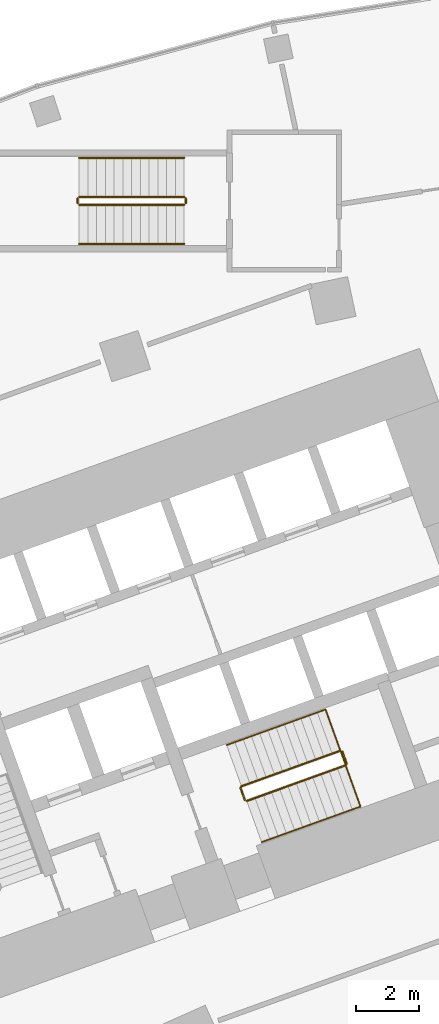
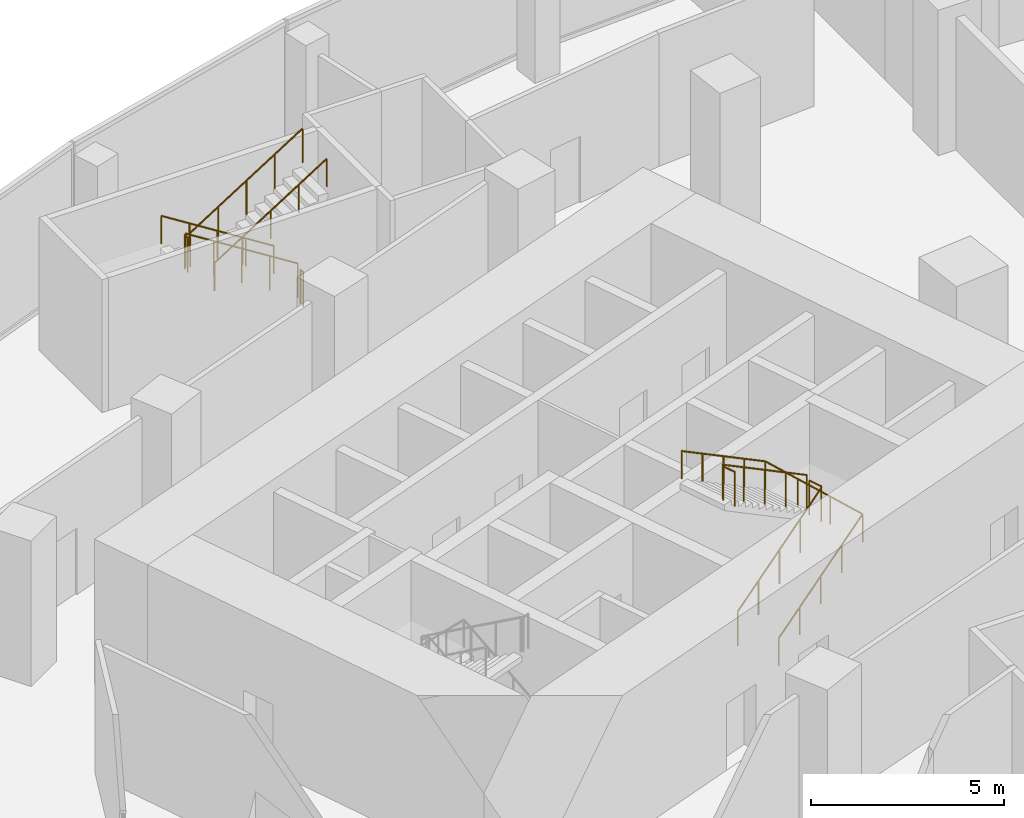
# One storey, part 34 of 39: 9 railings.
"""IFC4 building model written with IfcOpenShell, lengths in metres."""

from ifc_helpers import new_model, si_unit, direction, frame, origin, origin_2d, place, context, subcontext, project, spatial, circle, extrude, material, type_object, element, save


model = new_model("IFC4")

# Units and contexts
model_context = context("Model", 3, precision=1e-05, world=origin(), true_north=direction((0.0, 1.0)))
body_context = subcontext(model_context, "Body", "Model", "MODEL_VIEW")
ifc_project = project(units=[si_unit("LENGTHUNIT", "METRE"), si_unit("AREAUNIT", "SQUARE_METRE"), si_unit("VOLUMEUNIT", "CUBIC_METRE"), si_unit("PLANEANGLEUNIT", "RADIAN"), si_unit("MASSUNIT", "GRAM", prefix="KILO")], contexts=[model_context])

# Site, building, storey
site_placement = place(None, origin())
site = spatial("IfcSite", under=ifc_project, at=site_placement, CompositionType="ELEMENT")
building_placement = place(site_placement, origin())
building = spatial("IfcBuilding", under=site, at=building_placement, Name="Stone Belt Terrace Tower", CompositionType="ELEMENT")
storey_placement = place(building_placement, frame((0.0, 0.0, 20.800048828125)))
storey = spatial("IfcBuildingStorey", under=building, at=storey_placement, Name="L04", CompositionType="ELEMENT", Elevation=20.800048828125)

# Railings
ifc_material_1 = material(Name="Steel balustrade", Category="steel")
railing_type_1 = type_object("IfcRailingType", Name="Podium stair guard", PredefinedType="GUARDRAIL", material=ifc_material_1)
railing_1_placement = place(storey_placement, frame((-18.340087890625, 67.375, 0.1767578125)))
element("IfcRailing", 1, at=railing_1_placement, inside=storey, type_object=railing_type_1, Name="L04 PS7 stair guard 1", PredefinedType="GUARDRAIL", context=body_context, shape_type="SweptSolid", body=[
    extrude(circle(Radius=0.02392578125, at=origin_2d()), frame((0.0, 0.0, 1.076171875), z_axis=(-0.845344368971, 0.0, 0.534221768416), x_axis=(0.0, -1.0, 0.0)), (0.0, 0.0, 1.0), 3.974609375),
    extrude(circle(Radius=0.02099609375, at=origin_2d()), origin(), (0.0, 0.0, 1.0), 1.052001953125),
    extrude(circle(Radius=0.02099609375, at=origin_2d()), frame((-0.83984375, 0.0, 0.53076171875)), (0.0, 0.0, 1.0), 1.052001953125),
    extrude(circle(Radius=0.02099609375, at=origin_2d()), frame((-1.679931640625, 0.0, 1.0615234375)), (0.0, 0.0, 1.0), 1.052001953125),
    extrude(circle(Radius=0.02099609375, at=origin_2d()), frame((-2.52001953125, 0.0, 1.592529296875)), (0.0, 0.0, 1.0), 1.052001953125),
    extrude(circle(Radius=0.02099609375, at=origin_2d()), frame((-3.35986328125, 0.0, 2.123291015625)), (0.0, 0.0, 1.0), 1.052001953125),
])
railing_2_placement = place(storey_placement, frame((-21.75, 67.324951171875, 2.300048828125)))
element("IfcRailing", 2, at=railing_2_placement, inside=storey, type_object=railing_type_1, Name="L04 PS7 stair guard 2", PredefinedType="GUARDRAIL", context=body_context, shape_type="SweptSolid", body=[
    extrude(circle(Radius=0.02392578125, at=origin_2d()), frame((0.0, 0.0, 1.076171875), z_axis=(0.0, -1.0, 0.0), x_axis=(1.0, 0.0, 0.0)), (0.0, 0.0, 1.0), 0.14990234375),
    extrude(circle(Radius=0.02099609375, at=origin_2d()), origin(), (0.0, 0.0, 1.0), 1.052001953125),
    extrude(circle(Radius=0.02099609375, at=origin_2d()), frame((0.0, -0.14990234375, 0.0)), (0.0, 0.0, 1.0), 1.052001953125),
])
railing_3_placement = place(storey_placement, frame((-21.699951171875, 67.125, 2.476806640625)))
element("IfcRailing", 3, at=railing_3_placement, inside=storey, type_object=railing_type_1, Name="L04 PS7 stair guard 3", PredefinedType="GUARDRAIL", context=body_context, shape_type="SweptSolid", body=[
    extrude(circle(Radius=0.02392578125, at=origin_2d()), frame((0.0, 0.0, 1.076171875), z_axis=(0.845372108799, 0.0, 0.534177870812), x_axis=(0.0, 1.0, 0.0)), (0.0, 0.0, 1.0), 3.974365234375),
    extrude(circle(Radius=0.02099609375, at=origin_2d()), origin(), (0.0, 0.0, 1.0), 1.052001953125),
    extrude(circle(Radius=0.02099609375, at=origin_2d()), frame((0.83984375, 0.0, 0.53076171875)), (0.0, 0.0, 1.0), 1.052001953125),
    extrude(circle(Radius=0.02099609375, at=origin_2d()), frame((1.679931640625, 0.0, 1.0615234375)), (0.0, 0.0, 1.0), 1.052001953125),
    extrude(circle(Radius=0.02099609375, at=origin_2d()), frame((2.52001953125, 0.0, 1.59228515625)), (0.0, 0.0, 1.0), 1.052001953125),
    extrude(circle(Radius=0.02099609375, at=origin_2d()), frame((3.35986328125, 0.0, 2.123046875)), (0.0, 0.0, 1.0), 1.052001953125),
])
railing_4_placement = place(storey_placement, frame((-18.2900390625, 67.324951171875, 0.0)))
element("IfcRailing", 4, at=railing_4_placement, inside=storey, type_object=railing_type_1, Name="L04 PS7 stair guard 4", PredefinedType="GUARDRAIL", context=body_context, shape_type="SweptSolid", body=[
    extrude(circle(Radius=0.02392578125, at=origin_2d()), frame((0.0, 0.0, 1.076171875), z_axis=(0.0, -1.0, 0.0), x_axis=(1.0, 0.0, 0.0)), (0.0, 0.0, 1.0), 0.14990234375),
    extrude(circle(Radius=0.02099609375, at=origin_2d()), origin(), (0.0, 0.0, 1.0), 1.052001953125),
    extrude(circle(Radius=0.02099609375, at=origin_2d()), frame((0.0, -0.14990234375, 0.0)), (0.0, 0.0, 1.0), 1.052001953125),
])
ifc_material_2 = material(Name="Stainless steel handrail", Category="steel")
railing_type_2 = type_object("IfcRailingType", Name="Podium stair handrail", PredefinedType="HANDRAIL", material=ifc_material_2)
railing_5_placement = place(storey_placement, frame((-18.340087890625, 68.625, 0.1767578125)))
element("IfcRailing", 5, at=railing_5_placement, inside=storey, type_object=railing_type_2, Name="L04 PS7 stair handrail 1", PredefinedType="HANDRAIL", context=body_context, shape_type="SweptSolid", body=[
    extrude(circle(Radius=0.02392578125, at=origin_2d()), frame((0.0, 0.0, 0.8759765625), z_axis=(-0.845344368971, 0.0, 0.534221768416), x_axis=(0.0, -1.0, 0.0)), (0.0, 0.0, 1.0), 3.974609375),
    extrude(circle(Radius=0.02099609375, at=origin_2d()), origin(), (0.0, 0.0, 1.0), 0.851806640625),
    extrude(circle(Radius=0.02099609375, at=origin_2d()), frame((-0.83984375, 0.0, 0.53076171875)), (0.0, 0.0, 1.0), 0.851806640625),
    extrude(circle(Radius=0.02099609375, at=origin_2d()), frame((-1.679931640625, 0.0, 1.0615234375)), (0.0, 0.0, 1.0), 0.851806640625),
    extrude(circle(Radius=0.02099609375, at=origin_2d()), frame((-2.52001953125, 0.0, 1.592529296875)), (0.0, 0.0, 1.0), 0.851806640625),
    extrude(circle(Radius=0.02099609375, at=origin_2d()), frame((-3.35986328125, 0.0, 2.123291015625)), (0.0, 0.0, 1.0), 0.851806640625),
])
railing_6_placement = place(storey_placement, frame((-21.699951171875, 65.875, 2.476806640625)))
element("IfcRailing", 6, at=railing_6_placement, inside=storey, type_object=railing_type_2, Name="L04 PS7 stair handrail 2", PredefinedType="HANDRAIL", context=body_context, shape_type="SweptSolid", body=[
    extrude(circle(Radius=0.02392578125, at=origin_2d()), frame((0.0, 0.0, 0.8759765625), z_axis=(0.845372108799, 0.0, 0.534177870812), x_axis=(0.0, 1.0, 0.0)), (0.0, 0.0, 1.0), 3.974365234375),
    extrude(circle(Radius=0.02099609375, at=origin_2d()), origin(), (0.0, 0.0, 1.0), 0.851806640625),
    extrude(circle(Radius=0.02099609375, at=origin_2d()), frame((0.83984375, 0.0, 0.53076171875)), (0.0, 0.0, 1.0), 0.851806640625),
    extrude(circle(Radius=0.02099609375, at=origin_2d()), frame((1.679931640625, 0.0, 1.0615234375)), (0.0, 0.0, 1.0), 0.851806640625),
    extrude(circle(Radius=0.02099609375, at=origin_2d()), frame((2.52001953125, 0.0, 1.59228515625)), (0.0, 0.0, 1.0), 0.851806640625),
    extrude(circle(Radius=0.02099609375, at=origin_2d()), frame((3.35986328125, 0.0, 2.123046875)), (0.0, 0.0, 1.0), 0.851806640625),
])
ifc_material_3 = material(Name="Structural steel C345", Category="steel")
railing_type_3 = type_object("IfcRailingType", Name="Stair guard 1100", PredefinedType="GUARDRAIL", material=ifc_material_3)
railing_7_placement = place(storey_placement, frame((-16.33837890625, 48.056640625, 0.1767578125)))
element("IfcRailing", 7, at=railing_7_placement, inside=storey, type_object=railing_type_3, Name="L04 ST2A stair guard 1", PredefinedType="GUARDRAIL", context=body_context, shape_type="SweptSolid", body=[
    extrude(circle(Radius=0.02392578125, at=origin_2d()), frame((0.0, 0.0, 1.076171875), z_axis=(0.795428272047, 0.286231331872, 0.53419611444), x_axis=(-0.338590819614, 0.940933715451, 0.0)), (0.0, 0.0, 1.0), 3.974853515625),
    extrude(circle(Radius=0.02392578125, at=origin_2d()), frame((3.16162109375, 1.1376953125, 3.19921875), z_axis=(0.424964916, 0.905209821074, 0.0), x_axis=(-0.905209821074, 0.424964916, 0.0)), (0.0, 0.0, 1.0), 0.070556640625),
    extrude(circle(Radius=0.02392578125, at=origin_2d()), frame((3.191650390625, 1.20166015625, 3.19921875), z_axis=(-0.338654645739, 0.940910745459, 0.0), x_axis=(-0.940910745459, -0.338654645739, 0.0)), (0.0, 0.0, 1.0), 0.400146484375),
    extrude(circle(Radius=0.02099609375, at=origin_2d()), origin(), (0.0, 0.0, 1.0), 1.052001953125),
    extrude(circle(Radius=0.02099609375, at=origin_2d()), frame((0.79052734375, 0.284423828125, 0.53076171875)), (0.0, 0.0, 1.0), 1.052001953125),
    extrude(circle(Radius=0.02099609375, at=origin_2d()), frame((1.580810546875, 0.56884765625, 1.0615234375)), (0.0, 0.0, 1.0), 1.052001953125),
    extrude(circle(Radius=0.02099609375, at=origin_2d()), frame((2.37109375, 0.853271484375, 1.592529296875)), (0.0, 0.0, 1.0), 1.052001953125),
    extrude(circle(Radius=0.02099609375, at=origin_2d()), frame((3.16162109375, 1.1376953125, 2.123291015625)), (0.0, 0.0, 1.0), 1.052001953125),
    extrude(circle(Radius=0.02099609375, at=origin_2d()), frame((3.191650390625, 1.20166015625, 2.123291015625)), (0.0, 0.0, 1.0), 1.052001953125),
    extrude(circle(Radius=0.02099609375, at=origin_2d()), frame((3.05615234375, 1.578125, 2.123291015625)), (0.0, 0.0, 1.0), 1.052001953125),
])
railing_8_placement = place(storey_placement, frame((-13.34619140625, 49.664794921875, 2.476806640625)))
element("IfcRailing", 8, at=railing_8_placement, inside=storey, type_object=railing_type_3, Name="L04 ST2A stair guard 2", PredefinedType="GUARDRAIL", context=body_context, shape_type="SweptSolid", body=[
    extrude(circle(Radius=0.02392578125, at=origin_2d()), frame((0.0, 0.0, 1.076171875), z_axis=(-0.795431811234, -0.286254710043, 0.534178317283), x_axis=(0.338613969627, -0.9409253847, 0.0)), (0.0, 0.0, 1.0), 3.974365234375),
    extrude(circle(Radius=0.02392578125, at=origin_2d()), frame((-3.161376953125, -1.1376953125, 3.19921875), z_axis=(-0.427789722475, -0.903878284585, 0.0), x_axis=(0.903878284585, -0.427789722475, 0.0)), (0.0, 0.0, 1.0), 0.07080078125),
    extrude(circle(Radius=0.02392578125, at=origin_2d()), frame((-3.191650390625, -1.20166015625, 3.19921875), z_axis=(0.338654645739, -0.940910745459, 0.0), x_axis=(0.940910745459, 0.338654645739, 0.0)), (0.0, 0.0, 1.0), 0.400146484375),
    extrude(circle(Radius=0.02099609375, at=origin_2d()), origin(), (0.0, 0.0, 1.0), 1.052001953125),
    extrude(circle(Radius=0.02099609375, at=origin_2d()), frame((-0.790283203125, -0.284423828125, 0.53076171875)), (0.0, 0.0, 1.0), 1.052001953125),
    extrude(circle(Radius=0.02099609375, at=origin_2d()), frame((-1.58056640625, -0.56884765625, 1.0615234375)), (0.0, 0.0, 1.0), 1.052001953125),
    extrude(circle(Radius=0.02099609375, at=origin_2d()), frame((-2.37109375, -0.853271484375, 1.59228515625)), (0.0, 0.0, 1.0), 1.052001953125),
    extrude(circle(Radius=0.02099609375, at=origin_2d()), frame((-3.161376953125, -1.1376953125, 2.123046875)), (0.0, 0.0, 1.0), 1.052001953125),
    extrude(circle(Radius=0.02099609375, at=origin_2d()), frame((-3.191650390625, -1.20166015625, 2.123046875)), (0.0, 0.0, 1.0), 1.052001953125),
    extrude(circle(Radius=0.02099609375, at=origin_2d()), frame((-3.05615234375, -1.578125, 2.123046875)), (0.0, 0.0, 1.0), 1.052001953125),
])
railing_type_4 = type_object("IfcRailingType", Name="Stair handrail 900", PredefinedType="HANDRAIL", material=ifc_material_3)
railing_9_placement = place(storey_placement, frame((-15.8642578125, 46.7392578125, 0.1767578125)))
element("IfcRailing", 9, at=railing_9_placement, inside=storey, type_object=railing_type_4, Name="L04 ST2A stair handrail 1", PredefinedType="HANDRAIL", context=body_context, shape_type="SweptSolid", body=[
    extrude(circle(Radius=0.02392578125, at=origin_2d()), frame((0.0, 0.0, 0.8759765625), z_axis=(0.795405710091, 0.286245316937, 0.534222214894), x_axis=(-0.338613969627, 0.9409253847, 0.0)), (0.0, 0.0, 1.0), 3.974609375),
    extrude(circle(Radius=0.02392578125, at=origin_2d()), frame((3.161376953125, 1.1376953125, 2.9990234375), z_axis=(-0.338114333932, 0.93958405359, 0.053483674408), x_axis=(-0.940930785231, -0.338598962497, 0.0)), (0.0, 0.0, 1.0), 3.304931640625),
    extrude(circle(Radius=0.02392578125, at=origin_2d()), frame((2.0439453125, 4.242919921875, 3.17578125), z_axis=(-0.795417823175, -0.286311103083, 0.534168923494), x_axis=(0.338678299589, -0.940902231577, 0.0)), (0.0, 0.0, 1.0), 3.974365234375),
    extrude(circle(Radius=0.02099609375, at=origin_2d()), origin(), (0.0, 0.0, 1.0), 0.851806640625),
    extrude(circle(Radius=0.02099609375, at=origin_2d()), frame((0.790283203125, 0.284423828125, 0.53076171875)), (0.0, 0.0, 1.0), 0.851806640625),
    extrude(circle(Radius=0.02099609375, at=origin_2d()), frame((1.58056640625, 0.56884765625, 1.0615234375)), (0.0, 0.0, 1.0), 0.851806640625),
    extrude(circle(Radius=0.02099609375, at=origin_2d()), frame((2.37109375, 0.853271484375, 1.592529296875)), (0.0, 0.0, 1.0), 0.851806640625),
    extrude(circle(Radius=0.02099609375, at=origin_2d()), frame((3.161376953125, 1.1376953125, 2.123291015625)), (0.0, 0.0, 1.0), 0.851806640625),
    extrude(circle(Radius=0.02099609375, at=origin_2d()), frame((2.788818359375, 2.1728515625, 2.18212890625)), (0.0, 0.0, 1.0), 0.851806640625),
    extrude(circle(Radius=0.02099609375, at=origin_2d()), frame((2.41650390625, 3.207763671875, 2.2412109375)), (0.0, 0.0, 1.0), 0.851806640625),
    extrude(circle(Radius=0.02099609375, at=origin_2d()), frame((2.0439453125, 4.242919921875, 2.300048828125)), (0.0, 0.0, 1.0), 0.851806640625),
    extrude(circle(Radius=0.02099609375, at=origin_2d()), frame((1.253662109375, 3.95849609375, 2.830810546875)), (0.0, 0.0, 1.0), 0.851806640625),
    extrude(circle(Radius=0.02099609375, at=origin_2d()), frame((0.46337890625, 3.673828125, 3.361572265625)), (0.0, 0.0, 1.0), 0.851806640625),
    extrude(circle(Radius=0.02099609375, at=origin_2d()), frame((-0.3271484375, 3.389404296875, 3.892333984375)), (0.0, 0.0, 1.0), 0.851806640625),
    extrude(circle(Radius=0.02099609375, at=origin_2d()), frame((-1.117431640625, 3.10498046875, 4.423095703125)), (0.0, 0.0, 1.0), 0.851806640625),
])

save(model, "model.ifc")
